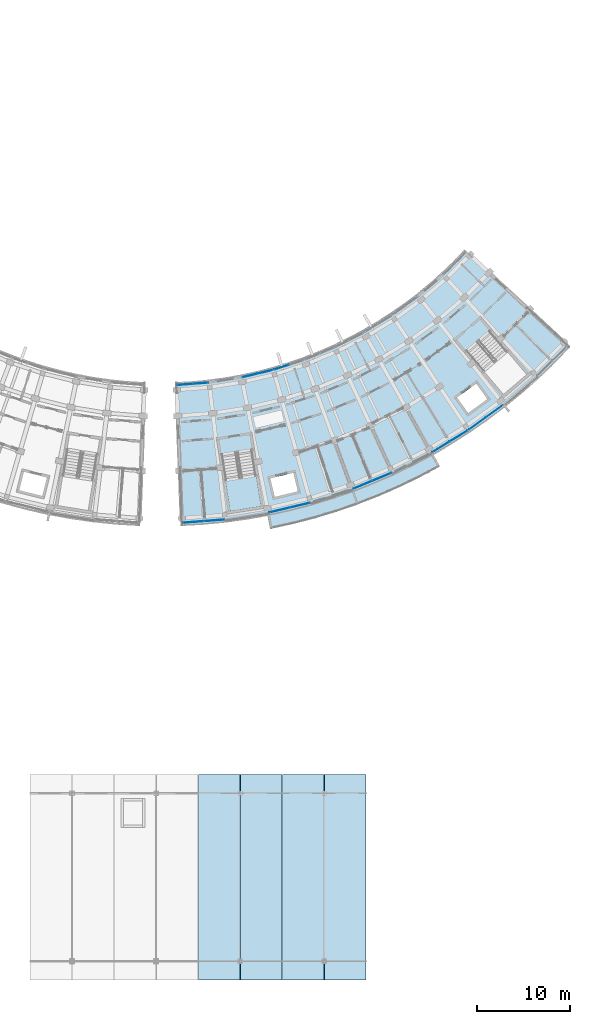
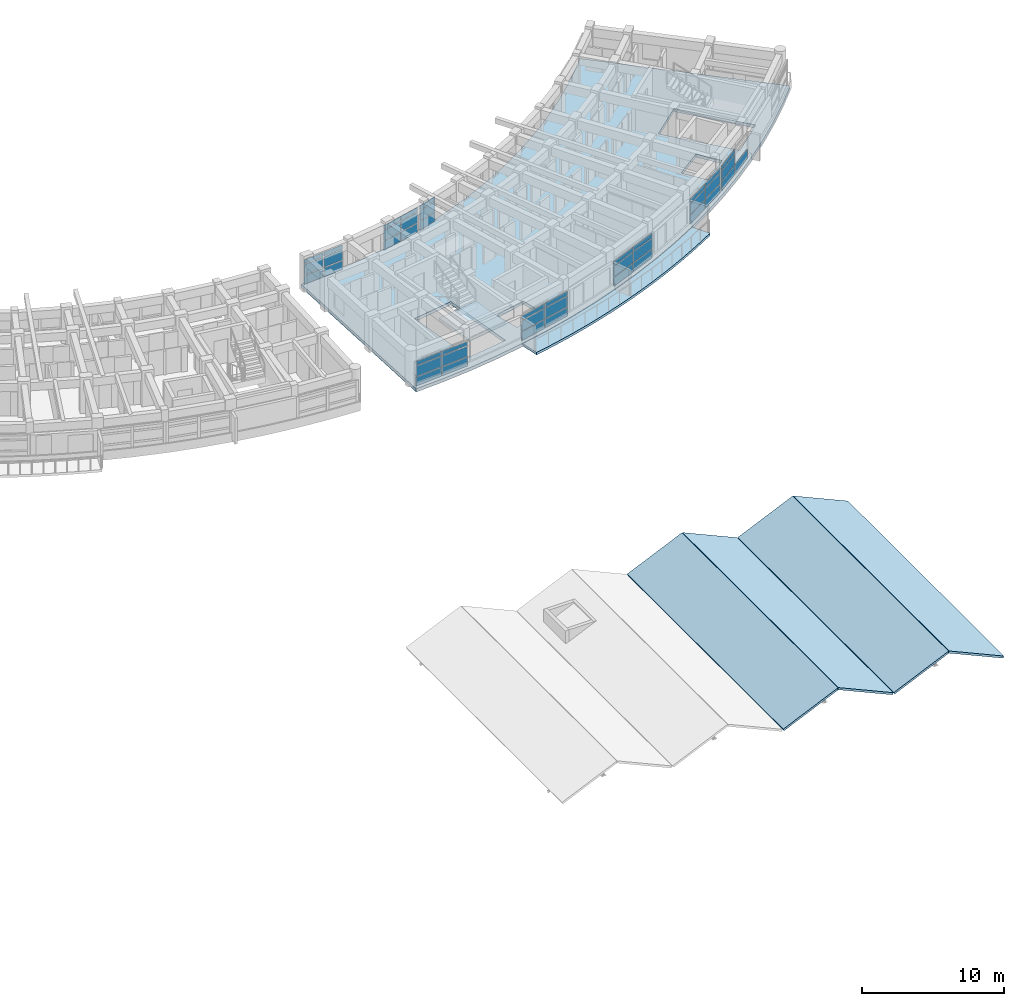
# One storey, part 37 of 70: 43 plates, 7 slabs, 9 elements without a shape of their own.
"""IFC4 building model written with IfcOpenShell, lengths in metres."""

import ifcopenshell
import ifcopenshell.guid

model = None  # the IFC model being written
_history = None  # IfcOwnerHistory: only IFC2X3 demands one
_inside = {}  # id of a spatial element -> (the spatial element, [elements in it])
_under = {}  # id of a project, library or spatial element -> (it, [spatial elements below it])
_declared = {}  # id of a project -> (the project, [libraries it declares])
_typed = {}  # id of a type object -> (the type object, [elements of that type])
_made_of = {}  # id of a material, layer set ... -> (it, [elements and type objects made of it])


def new_model(schema):
    """Start an empty IFC model of exactly this schema.

    Asked for "IFC4X3", IfcOpenShell would pick the latest addendum, in which some entities
    have other attributes; the version numbers below select the first issue.
    IFC2X3 requires an IfcOwnerHistory on every rooted entity: one is made here for all.
    """
    global model, _history
    if schema == "IFC4X3":
        model = ifcopenshell.file(schema_version=(4, 3, 0, 0))
    else:
        model = ifcopenshell.file(schema=schema)
    _inside.clear()
    _under.clear()
    _declared.clear()
    _typed.clear()
    _made_of.clear()
    _history = None
    if model.schema == "IFC2X3":
        org = make("IfcOrganization", Name="unknown")
        user = make(
            "IfcPersonAndOrganization",
            ThePerson=make("IfcPerson", FamilyName="unknown"),
            TheOrganization=org,
        )
        app = make(
            "IfcApplication",
            ApplicationDeveloper=org,
            Version="unknown",
            ApplicationFullName="unknown",
            ApplicationIdentifier="unknown",
        )
        _history = make(
            "IfcOwnerHistory",
            OwningUser=user,
            OwningApplication=app,
            ChangeAction="ADDED",
            CreationDate=0,
        )
    return model


def make(cls, **values):
    """One entity of the class cls with the attributes given. An attribute that is None is left unset."""
    return model.create_entity(
        cls, **{name: value for name, value in values.items() if value is not None}
    )


def rooted(cls, **values):
    """An entity with a GlobalId (a new one), such as an element, a storey or a relation."""
    return make(cls, GlobalId=ifcopenshell.guid.new(), OwnerHistory=_history, **values)


def si_unit(unit_type, name, prefix=None):
    """IfcSIUnit, for example si_unit("LENGTHUNIT", "METRE", prefix="MILLI")."""
    return make("IfcSIUnit", UnitType=unit_type, Prefix=prefix, Name=name)


def assignment(units):
    """IfcUnitAssignment: the units of a project."""
    return None if units is None else make("IfcUnitAssignment", Units=units)


def point(xyz):
    """IfcCartesianPoint."""
    return None if xyz is None else make("IfcCartesianPoint", Coordinates=xyz)


def direction(xyz):
    """IfcDirection."""
    return None if xyz is None else make("IfcDirection", DirectionRatios=xyz)


def frame(location, z_axis=None, x_axis=None):
    """IfcAxis2Placement3D, a coordinate frame: its origin and axes. An axis left out is left unset."""
    return make(
        "IfcAxis2Placement3D",
        Location=point(location),
        Axis=direction(z_axis),
        RefDirection=direction(x_axis),
    )


def frame_2d(location, x_axis=None):
    """IfcAxis2Placement2D, a coordinate frame in the plane: its origin and x axis."""
    return make(
        "IfcAxis2Placement2D", Location=point(location), RefDirection=direction(x_axis)
    )


def origin():
    """The frame at (0, 0, 0) with its axes left unset."""
    return frame((0.0, 0.0, 0.0))


def origin_2d():
    """The frame at (0, 0) in the plane with its x axis left unset."""
    return frame_2d((0.0, 0.0))


def place(relative_to, where):
    """IfcLocalPlacement: puts the frame where relative to a parent placement (None: the world)."""
    return make(
        "IfcLocalPlacement", PlacementRelTo=relative_to, RelativePlacement=where
    )


def context(
    kind, dimensions, precision=None, world=None, true_north=None, identifier=None
):
    """IfcGeometricRepresentationContext, for example the 3D "Model" context."""
    return make(
        "IfcGeometricRepresentationContext",
        ContextIdentifier=identifier,
        ContextType=kind,
        CoordinateSpaceDimension=dimensions,
        Precision=precision,
        WorldCoordinateSystem=world,
        TrueNorth=true_north,
    )


def subcontext(parent, identifier, kind, view, scale=None):
    """IfcGeometricRepresentationSubContext, for example "Body" below "Model"."""
    return make(
        "IfcGeometricRepresentationSubContext",
        ContextIdentifier=identifier,
        ContextType=kind,
        ParentContext=parent,
        TargetScale=scale,
        TargetView=view,
    )


def project(units=None, contexts=None):
    """IfcProject with its units and contexts."""
    return rooted(
        "IfcProject",
        Name="project",
        RepresentationContexts=contexts,
        UnitsInContext=assignment(units),
    )


def spatial(cls, under=None, at=None, **own):
    """A site, building, storey or space (cls), placed at a placement, below another one or the project."""
    s = rooted(cls, ObjectPlacement=at, **own)
    if under is not None:
        _under.setdefault(under.id(), (under, []))[1].append(s)
    return s


def polyline(points):
    """IfcPolyline through the points."""
    return make("IfcPolyline", Points=[point(p) for p in points])


def profile(cls, at=None, kind="AREA", **sizes):
    """A parametric profile (cls). Its sizes go by their IFC names, for example OverallWidth=200.0."""
    return make(cls, ProfileType=kind, Position=at, **sizes)


def rectangle(**sizes):
    """IfcRectangleProfileDef."""
    return profile("IfcRectangleProfileDef", **sizes)


def outline(outer, holes=None, kind="AREA"):
    """IfcArbitraryClosedProfileDef: a profile drawn as a closed curve; with holes, ...WithVoids."""
    if holes is None:
        return make("IfcArbitraryClosedProfileDef", ProfileType=kind, OuterCurve=outer)
    return make(
        "IfcArbitraryProfileDefWithVoids",
        ProfileType=kind,
        OuterCurve=outer,
        InnerCurves=holes,
    )


def extrude(swept, where, along, depth):
    """IfcExtrudedAreaSolid: the profile swept, set in the frame where, extruded along a direction by depth."""
    return make(
        "IfcExtrudedAreaSolid",
        SweptArea=swept,
        Position=where,
        ExtrudedDirection=direction(along),
        Depth=depth,
    )


def shape(context_of_items, identifier, shape_type, items):
    """IfcShapeRepresentation: the items that make up one representation, for example the "Body"."""
    return make(
        "IfcShapeRepresentation",
        ContextOfItems=context_of_items,
        RepresentationIdentifier=identifier,
        RepresentationType=shape_type,
        Items=items,
    )


def material(Name=None, Category=None):
    """IfcMaterial."""
    return make("IfcMaterial", Name=Name, Category=Category)


def layer(
    of_material, thickness, ventilated=None, Name=None, Category=None, Priority=None
):
    """IfcMaterialLayer: one layer of a wall or slab, of a material (None: an air gap)."""
    return make(
        "IfcMaterialLayer",
        Material=of_material,
        LayerThickness=thickness,
        IsVentilated=ventilated,
        Name=Name,
        Category=Category,
        Priority=Priority,
    )


def layer_set(layers, Name=None):
    """IfcMaterialLayerSet."""
    return make("IfcMaterialLayerSet", MaterialLayers=layers, LayerSetName=Name)


def made_of(thing, what):
    """Note that an element or type object is made of a material, layer set ...; save() writes the relation."""
    if what is not None:
        _made_of.setdefault(what.id(), (what, []))[1].append(thing)
    return thing


def type_object(cls, material=None, **own):
    """A type object (cls), such as IfcWallType, which elements share."""
    return made_of(rooted(cls, **own), material)


def element(
    cls,
    number,
    at=None,
    inside=None,
    cuts=None,
    type_object=None,
    material=None,
    context=None,
    identifier="Body",
    shape_type=None,
    held_by="IfcProductDefinitionShape",
    body=None,
    shapes=None,
    **own,
):
    """One element of the class cls, such as IfcWall. Its Tag is "e" and its number.

    at: its placement. inside: the storey or other place that contains it. cuts: it is an
    opening in that element (IfcRelVoidsElement). A single representation is given by context,
    identifier, shape_type and body (its items); several are given by shapes. held_by: the class
    of the entity that holds the representations. save() writes the other relations.
    """
    e = rooted(cls, Tag="e%d" % number, ObjectPlacement=at, **own)
    if body is not None:
        shapes = [shape(context, identifier, shape_type, body)]
    if shapes is not None:
        e.Representation = make(held_by, Representations=shapes)
    if inside is not None:
        _inside.setdefault(inside.id(), (inside, []))[1].append(e)
    if cuts is not None:
        rooted(
            "IfcRelVoidsElement", RelatingBuildingElement=cuts, RelatedOpeningElement=e
        )
    if type_object is not None:
        _typed.setdefault(type_object.id(), (type_object, []))[1].append(e)
    return made_of(e, material)


def aggregate(whole, parts):
    """IfcRelAggregates: a whole, such as a stair, and the parts it consists of."""
    return rooted("IfcRelAggregates", RelatingObject=whole, RelatedObjects=parts)


def save(model, path):
    """Write the relations noted so far, then the file.

    IfcRelAggregates (storeys below a building ...), IfcRelContainedInSpatialStructure (elements
    in a storey), IfcRelDefinesByType, IfcRelAssociatesMaterial and IfcRelDeclares: one each for
    every whole, place, type object, material and project.
    """
    for whole, parts in _under.values():
        aggregate(whole, parts)
    for where, things in _inside.values():
        rooted(
            "IfcRelContainedInSpatialStructure",
            RelatedElements=things,
            RelatingStructure=where,
        )
    for kind, things in _typed.values():
        rooted("IfcRelDefinesByType", RelatedObjects=things, RelatingType=kind)
    for what, things in _made_of.values():
        rooted("IfcRelAssociatesMaterial", RelatedObjects=things, RelatingMaterial=what)
    for by, libraries in _declared.values():
        rooted("IfcRelDeclares", RelatingContext=by, RelatedDefinitions=libraries)
    model.write(path)


model = new_model("IFC4")

# Units and contexts
model_context = context("Model", 3, precision=1e-05, world=origin(), true_north=direction((0.0, 1.0)))
body_context = subcontext(model_context, "Body", "Model", "MODEL_VIEW")
ifc_project = project(units=[si_unit("LENGTHUNIT", "METRE"), si_unit("AREAUNIT", "SQUARE_METRE"), si_unit("VOLUMEUNIT", "CUBIC_METRE"), si_unit("PLANEANGLEUNIT", "RADIAN"), si_unit("MASSUNIT", "GRAM", prefix="KILO")], contexts=[model_context])

# Site, building, storey
site_placement = place(None, origin())
site = spatial("IfcSite", under=ifc_project, at=site_placement, CompositionType="ELEMENT")
building_placement = place(site_placement, origin())
building = spatial("IfcBuilding", under=site, at=building_placement, Name="Zimvara Arc Housing Community", CompositionType="ELEMENT")
storey_placement = place(building_placement, frame((0.0, 0.0, 8.10009765625)))
storey = spatial("IfcBuildingStorey", under=building, at=storey_placement, Name="L02", CompositionType="ELEMENT", Elevation=8.10009765625)

# Curtain wall, plates
ifc_material_1 = material(Name="Anodised Aluminium AW-6063", Category="aluminium")
curtain_wall_type_1 = type_object("IfcCurtainWallType", Name="CW-SYS-08", PredefinedType="USERDEFINED", material=ifc_material_1)
curtain_wall_1_placement = place(storey_placement, origin())
curtain_wall_1 = element("IfcCurtainWall", 1, at=curtain_wall_1_placement, inside=storey, type_object=curtain_wall_type_1, Name="cw:blkD:L02:in:b2", ObjectType="CURTAIN WALL", PredefinedType="USERDEFINED")
ifc_material_2 = material(Name="Pale-Gold Anodised Aluminium Spandrel Panel", Category="aluminium")
ifc_layer_1 = layer(ifc_material_2, 0.035888671875)
ifc_layer_set_1 = layer_set([ifc_layer_1], Name="Pale-Gold Anodised Aluminium Spandrel Panel")
plate_type_1 = type_object("IfcPlateType", Name="CWP-GLD-36", PredefinedType="CURTAIN_PANEL", material=ifc_layer_set_1)
plate_1_placement = place(storey_placement, frame((135.543701171875, 66.30419921875, 0.06494140625), z_axis=(0.0, 0.0, 1.0), x_axis=(0.972573441526, 0.232596003485, 0.0)))
plate_1 = element("IfcPlate", 2, at=plate_1_placement, type_object=plate_type_1, Name="CW08 panel 1.1", PredefinedType="CURTAIN_PANEL", context=body_context, shape_type="SweptSolid", body=[
    extrude(rectangle(XDim=1.59423828125, YDim=0.035888671875, at=origin_2d()), origin(), (0.0, 0.0, 1.0), 0.75244140625),
])
plate_2_placement = place(storey_placement, frame((135.543701171875, 66.30419921875, 0.88232421875), z_axis=(0.0, 0.0, 1.0), x_axis=(0.972573441526, 0.232596003485, 0.0)))
plate_2 = element("IfcPlate", 3, at=plate_2_placement, type_object=plate_type_1, Name="CW08 panel 1.2", PredefinedType="CURTAIN_PANEL", context=body_context, shape_type="SweptSolid", body=[
    extrude(rectangle(XDim=1.59423828125, YDim=0.035888671875, at=origin_2d()), origin(), (0.0, 0.0, 1.0), 0.885009765625),
])
plate_3_placement = place(storey_placement, frame((135.543701171875, 66.30419921875, 1.832275390625), z_axis=(0.0, 0.0, 1.0), x_axis=(0.972573441526, 0.232596003485, 0.0)))
plate_3 = element("IfcPlate", 4, at=plate_3_placement, type_object=plate_type_1, Name="CW08 panel 1.3", PredefinedType="CURTAIN_PANEL", context=body_context, shape_type="SweptSolid", body=[
    extrude(rectangle(XDim=1.59423828125, YDim=0.035888671875, at=origin_2d()), origin(), (0.0, 0.0, 1.0), 0.3525390625),
])
plate_4_placement = place(storey_placement, frame((137.1572265625, 66.690185546875, 0.06494140625), z_axis=(0.0, 0.0, 1.0), x_axis=(0.972573441526, 0.232596003485, 0.0)))
plate_4 = element("IfcPlate", 5, at=plate_4_placement, type_object=plate_type_1, Name="CW08 panel 2.1", PredefinedType="CURTAIN_PANEL", context=body_context, shape_type="SweptSolid", body=[
    extrude(rectangle(XDim=1.59423828125, YDim=0.035888671875, at=origin_2d()), origin(), (0.0, 0.0, 1.0), 0.75244140625),
])
plate_5_placement = place(storey_placement, frame((137.1572265625, 66.690185546875, 0.88232421875), z_axis=(0.0, 0.0, 1.0), x_axis=(0.972573441526, 0.232596003485, 0.0)))
plate_5 = element("IfcPlate", 6, at=plate_5_placement, type_object=plate_type_1, Name="CW08 panel 2.2", PredefinedType="CURTAIN_PANEL", context=body_context, shape_type="SweptSolid", body=[
    extrude(rectangle(XDim=1.59423828125, YDim=0.035888671875, at=origin_2d()), origin(), (0.0, 0.0, 1.0), 0.885009765625),
])
plate_6_placement = place(storey_placement, frame((137.1572265625, 66.690185546875, 1.832275390625), z_axis=(0.0, 0.0, 1.0), x_axis=(0.972573441526, 0.232596003485, 0.0)))
plate_6 = element("IfcPlate", 7, at=plate_6_placement, type_object=plate_type_1, Name="CW08 panel 2.3", PredefinedType="CURTAIN_PANEL", context=body_context, shape_type="SweptSolid", body=[
    extrude(rectangle(XDim=1.59423828125, YDim=0.035888671875, at=origin_2d()), origin(), (0.0, 0.0, 1.0), 0.3525390625),
])
aggregate(curtain_wall_1, [plate_1, plate_2, plate_3, plate_4, plate_5, plate_6])

ifc_material_3 = material(Name="Anodised Aluminium AW-6063", Category="aluminium")
curtain_wall_type_2 = type_object("IfcCurtainWallType", Name="CW-SYS-05", PredefinedType="USERDEFINED", material=ifc_material_3)
curtain_wall_2_placement = place(storey_placement, origin())
curtain_wall_2 = element("IfcCurtainWall", 8, at=curtain_wall_2_placement, inside=storey, type_object=curtain_wall_type_2, Name="cw:blkD:L02:out:b0", ObjectType="CURTAIN WALL", PredefinedType="USERDEFINED")
ifc_material_4 = material(Name="Solar Control Low-E Double Glazing", Category="glass")
ifc_layer_2 = layer(ifc_material_4, 0.02392578125)
ifc_layer_set_2 = layer_set([ifc_layer_2], Name="Solar Control Low-E Double Glazing")
plate_type_2 = type_object("IfcPlateType", Name="CWP-GLZ-24", PredefinedType="CURTAIN_PANEL", material=ifc_layer_set_2)
plate_7_placement = place(storey_placement, frame((129.4677734375, 50.61767578125, 0.06494140625), z_axis=(0.0, 0.0, 1.0), x_axis=(0.996985387849, 0.077589538059, 0.0)))
plate_7 = element("IfcPlate", 9, at=plate_7_placement, type_object=plate_type_2, Name="CW05 panel 1.1", PredefinedType="CURTAIN_PANEL", context=body_context, shape_type="SweptSolid", body=[
    extrude(rectangle(XDim=2.173828125, YDim=0.02392578125, at=origin_2d()), origin(), (0.0, 0.0, 1.0), 0.75244140625),
])
plate_8_placement = place(storey_placement, frame((129.4677734375, 50.61767578125, 0.88232421875), z_axis=(0.0, 0.0, 1.0), x_axis=(0.996985387849, 0.077589538059, 0.0)))
plate_8 = element("IfcPlate", 10, at=plate_8_placement, type_object=plate_type_2, Name="CW05 panel 1.2", PredefinedType="CURTAIN_PANEL", context=body_context, shape_type="SweptSolid", body=[
    extrude(rectangle(XDim=2.173828125, YDim=0.02392578125, at=origin_2d()), origin(), (0.0, 0.0, 1.0), 0.885009765625),
])
plate_9_placement = place(storey_placement, frame((129.4677734375, 50.61767578125, 1.832275390625), z_axis=(0.0, 0.0, 1.0), x_axis=(0.996985387849, 0.077589538059, 0.0)))
plate_9 = element("IfcPlate", 11, at=plate_9_placement, type_object=plate_type_2, Name="CW05 panel 1.3", PredefinedType="CURTAIN_PANEL", context=body_context, shape_type="SweptSolid", body=[
    extrude(rectangle(XDim=2.173828125, YDim=0.02392578125, at=origin_2d()), origin(), (0.0, 0.0, 1.0), 0.3525390625),
])
plate_10_placement = place(storey_placement, frame((131.69970703125, 50.79150390625, 0.06494140625), z_axis=(0.0, 0.0, 1.0), x_axis=(0.996985387849, 0.077589538059, 0.0)))
plate_10 = element("IfcPlate", 12, at=plate_10_placement, type_object=plate_type_2, Name="CW05 panel 2.1", PredefinedType="CURTAIN_PANEL", context=body_context, shape_type="SweptSolid", body=[
    extrude(rectangle(XDim=2.173828125, YDim=0.02392578125, at=origin_2d()), origin(), (0.0, 0.0, 1.0), 0.75244140625),
])
plate_11_placement = place(storey_placement, frame((131.69970703125, 50.79150390625, 0.88232421875), z_axis=(0.0, 0.0, 1.0), x_axis=(0.996985387849, 0.077589538059, 0.0)))
plate_11 = element("IfcPlate", 13, at=plate_11_placement, type_object=plate_type_2, Name="CW05 panel 2.2", PredefinedType="CURTAIN_PANEL", context=body_context, shape_type="SweptSolid", body=[
    extrude(rectangle(XDim=2.173828125, YDim=0.02392578125, at=origin_2d()), origin(), (0.0, 0.0, 1.0), 0.885009765625),
])
plate_12_placement = place(storey_placement, frame((131.69970703125, 50.79150390625, 1.832275390625), z_axis=(0.0, 0.0, 1.0), x_axis=(0.996985387849, 0.077589538059, 0.0)))
plate_12 = element("IfcPlate", 14, at=plate_12_placement, type_object=plate_type_2, Name="CW05 panel 2.3", PredefinedType="CURTAIN_PANEL", context=body_context, shape_type="SweptSolid", body=[
    extrude(rectangle(XDim=2.173828125, YDim=0.02392578125, at=origin_2d()), origin(), (0.0, 0.0, 1.0), 0.3525390625),
])
aggregate(curtain_wall_2, [plate_7, plate_8, plate_9, plate_10, plate_11, plate_12])

ifc_material_5 = material(Name="Anodised Aluminium AW-6063", Category="aluminium")
curtain_wall_type_3 = type_object("IfcCurtainWallType", Name="CW-SYS-01", PredefinedType="USERDEFINED", material=ifc_material_5)
curtain_wall_3_placement = place(storey_placement, origin())
curtain_wall_3 = element("IfcCurtainWall", 15, at=curtain_wall_3_placement, inside=storey, type_object=curtain_wall_type_3, Name="cw:blkD:L02:in:b3", ObjectType="CURTAIN WALL", PredefinedType="USERDEFINED")
plate_13_placement = place(storey_placement, frame((138.931396484375, 67.18896484375, 0.06494140625), z_axis=(0.0, 0.0, 1.0), x_axis=(0.951326373008, 0.308185223559, 0.0)))
plate_13 = element("IfcPlate", 16, at=plate_13_placement, type_object=plate_type_2, Name="CW01 panel 1.1", PredefinedType="CURTAIN_PANEL", context=body_context, shape_type="SweptSolid", body=[
    extrude(rectangle(XDim=1.59423828125, YDim=0.02392578125, at=origin_2d()), origin(), (0.0, 0.0, 1.0), 0.75244140625),
])
plate_14_placement = place(storey_placement, frame((138.931396484375, 67.18896484375, 0.88232421875), z_axis=(0.0, 0.0, 1.0), x_axis=(0.951326373008, 0.308185223559, 0.0)))
plate_14 = element("IfcPlate", 17, at=plate_14_placement, type_object=plate_type_2, Name="CW01 panel 1.2", PredefinedType="CURTAIN_PANEL", context=body_context, shape_type="SweptSolid", body=[
    extrude(rectangle(XDim=1.59423828125, YDim=0.02392578125, at=origin_2d()), origin(), (0.0, 0.0, 1.0), 0.885009765625),
])
plate_15_placement = place(storey_placement, frame((138.931396484375, 67.18896484375, 1.832275390625), z_axis=(0.0, 0.0, 1.0), x_axis=(0.951326373008, 0.308185223559, 0.0)))
plate_15 = element("IfcPlate", 18, at=plate_15_placement, type_object=plate_type_2, Name="CW01 panel 1.3", PredefinedType="CURTAIN_PANEL", context=body_context, shape_type="SweptSolid", body=[
    extrude(rectangle(XDim=1.59423828125, YDim=0.02392578125, at=origin_2d()), origin(), (0.0, 0.0, 1.0), 0.3525390625),
])
aggregate(curtain_wall_3, [plate_13, plate_14, plate_15])

curtain_wall_4_placement = place(storey_placement, origin())
curtain_wall_4 = element("IfcCurtainWall", 19, at=curtain_wall_4_placement, inside=storey, type_object=curtain_wall_type_2, Name="cw:blkD:L02:out:b6", ObjectType="CURTAIN WALL", PredefinedType="USERDEFINED")
plate_16_placement = place(storey_placement, frame((155.98291015625, 58.658203125, 0.06494140625), z_axis=(0.0, 0.0, 1.0), x_axis=(0.853095835272, 0.521754248513, 0.0)))
plate_16 = element("IfcPlate", 20, at=plate_16_placement, type_object=plate_type_2, Name="CW05 panel 1.1", PredefinedType="CURTAIN_PANEL", context=body_context, shape_type="SweptSolid", body=[
    extrude(rectangle(XDim=2.173828125, YDim=0.02392578125, at=origin_2d()), origin(), (0.0, 0.0, 1.0), 0.75244140625),
])
plate_17_placement = place(storey_placement, frame((155.98291015625, 58.658203125, 0.88232421875), z_axis=(0.0, 0.0, 1.0), x_axis=(0.853095835272, 0.521754248513, 0.0)))
plate_17 = element("IfcPlate", 21, at=plate_17_placement, type_object=plate_type_2, Name="CW05 panel 1.2", PredefinedType="CURTAIN_PANEL", context=body_context, shape_type="SweptSolid", body=[
    extrude(rectangle(XDim=2.173828125, YDim=0.02392578125, at=origin_2d()), origin(), (0.0, 0.0, 1.0), 0.885009765625),
])
plate_18_placement = place(storey_placement, frame((155.98291015625, 58.658203125, 1.832275390625), z_axis=(0.0, 0.0, 1.0), x_axis=(0.853095835272, 0.521754248513, 0.0)))
plate_18 = element("IfcPlate", 22, at=plate_18_placement, type_object=plate_type_2, Name="CW05 panel 1.3", PredefinedType="CURTAIN_PANEL", context=body_context, shape_type="SweptSolid", body=[
    extrude(rectangle(XDim=2.173828125, YDim=0.02392578125, at=origin_2d()), origin(), (0.0, 0.0, 1.0), 0.3525390625),
])
plate_19_placement = place(storey_placement, frame((157.892822265625, 59.826171875, 0.06494140625), z_axis=(0.0, 0.0, 1.0), x_axis=(0.853095835272, 0.521754248513, 0.0)))
plate_19 = element("IfcPlate", 23, at=plate_19_placement, type_object=plate_type_2, Name="CW05 panel 2.1", PredefinedType="CURTAIN_PANEL", context=body_context, shape_type="SweptSolid", body=[
    extrude(rectangle(XDim=2.173828125, YDim=0.02392578125, at=origin_2d()), origin(), (0.0, 0.0, 1.0), 0.75244140625),
])
plate_20_placement = place(storey_placement, frame((157.892822265625, 59.826171875, 0.88232421875), z_axis=(0.0, 0.0, 1.0), x_axis=(0.853095835272, 0.521754248513, 0.0)))
plate_20 = element("IfcPlate", 24, at=plate_20_placement, type_object=plate_type_2, Name="CW05 panel 2.2", PredefinedType="CURTAIN_PANEL", context=body_context, shape_type="SweptSolid", body=[
    extrude(rectangle(XDim=2.173828125, YDim=0.02392578125, at=origin_2d()), origin(), (0.0, 0.0, 1.0), 0.885009765625),
])
plate_21_placement = place(storey_placement, frame((157.892822265625, 59.826171875, 1.832275390625), z_axis=(0.0, 0.0, 1.0), x_axis=(0.853095835272, 0.521754248513, 0.0)))
plate_21 = element("IfcPlate", 25, at=plate_21_placement, type_object=plate_type_2, Name="CW05 panel 2.3", PredefinedType="CURTAIN_PANEL", context=body_context, shape_type="SweptSolid", body=[
    extrude(rectangle(XDim=2.173828125, YDim=0.02392578125, at=origin_2d()), origin(), (0.0, 0.0, 1.0), 0.3525390625),
])
aggregate(curtain_wall_4, [plate_16, plate_17, plate_18, plate_19, plate_20, plate_21])

ifc_material_6 = material(Name="Anodised Aluminium AW-6063", Category="aluminium")
curtain_wall_type_4 = type_object("IfcCurtainWallType", Name="CW-SYS-06", PredefinedType="USERDEFINED", material=ifc_material_6)
curtain_wall_5_placement = place(storey_placement, origin())
curtain_wall_5 = element("IfcCurtainWall", 26, at=curtain_wall_5_placement, inside=storey, type_object=curtain_wall_type_4, Name="cw:blkD:L02:in:b0", ObjectType="CURTAIN WALL", PredefinedType="USERDEFINED")
ifc_material_7 = material(Name="Solar Control Low-E Double Glazing", Category="glass")
ifc_layer_3 = layer(ifc_material_7, 0.028076171875)
ifc_layer_set_3 = layer_set([ifc_layer_3], Name="Solar Control Low-E Double Glazing")
plate_type_3 = type_object("IfcPlateType", Name="CWP-GLZ-28", PredefinedType="CURTAIN_PANEL", material=ifc_layer_set_3)
plate_22_placement = place(storey_placement, frame((128.6123046875, 65.344482421875, 0.06494140625), z_axis=(0.0, 0.0, 1.0), x_axis=(0.996985344149, 0.077590099579, 0.0)))
plate_22 = element("IfcPlate", 27, at=plate_22_placement, type_object=plate_type_3, Name="CW06 panel 1.1", PredefinedType="CURTAIN_PANEL", context=body_context, shape_type="SweptSolid", body=[
    extrude(rectangle(XDim=1.59423828125, YDim=0.028076171875, at=origin_2d()), origin(), (0.0, 0.0, 1.0), 0.75244140625),
])
plate_23_placement = place(storey_placement, frame((128.6123046875, 65.344482421875, 0.88232421875), z_axis=(0.0, 0.0, 1.0), x_axis=(0.996985344149, 0.077590099579, 0.0)))
plate_23 = element("IfcPlate", 28, at=plate_23_placement, type_object=plate_type_3, Name="CW06 panel 1.2", PredefinedType="CURTAIN_PANEL", context=body_context, shape_type="SweptSolid", body=[
    extrude(rectangle(XDim=1.59423828125, YDim=0.028076171875, at=origin_2d()), origin(), (0.0, 0.0, 1.0), 0.885009765625),
])
plate_24_placement = place(storey_placement, frame((128.6123046875, 65.344482421875, 1.832275390625), z_axis=(0.0, 0.0, 1.0), x_axis=(0.996985344149, 0.077590099579, 0.0)))
plate_24 = element("IfcPlate", 29, at=plate_24_placement, type_object=plate_type_3, Name="CW06 panel 1.3", PredefinedType="CURTAIN_PANEL", context=body_context, shape_type="SweptSolid", body=[
    extrude(rectangle(XDim=1.59423828125, YDim=0.028076171875, at=origin_2d()), origin(), (0.0, 0.0, 1.0), 0.3525390625),
])
plate_25_placement = place(storey_placement, frame((130.2666015625, 65.47314453125, 0.06494140625), z_axis=(0.0, 0.0, 1.0), x_axis=(0.996985344149, 0.077590099579, 0.0)))
plate_25 = element("IfcPlate", 30, at=plate_25_placement, type_object=plate_type_3, Name="CW06 panel 2.1", PredefinedType="CURTAIN_PANEL", context=body_context, shape_type="SweptSolid", body=[
    extrude(rectangle(XDim=1.59423828125, YDim=0.028076171875, at=origin_2d()), origin(), (0.0, 0.0, 1.0), 0.75244140625),
])
plate_26_placement = place(storey_placement, frame((130.2666015625, 65.47314453125, 0.88232421875), z_axis=(0.0, 0.0, 1.0), x_axis=(0.996985344149, 0.077590099579, 0.0)))
plate_26 = element("IfcPlate", 31, at=plate_26_placement, type_object=plate_type_3, Name="CW06 panel 2.2", PredefinedType="CURTAIN_PANEL", context=body_context, shape_type="SweptSolid", body=[
    extrude(rectangle(XDim=1.59423828125, YDim=0.028076171875, at=origin_2d()), origin(), (0.0, 0.0, 1.0), 0.885009765625),
])
plate_27_placement = place(storey_placement, frame((130.2666015625, 65.47314453125, 1.832275390625), z_axis=(0.0, 0.0, 1.0), x_axis=(0.996985344149, 0.077590099579, 0.0)))
plate_27 = element("IfcPlate", 32, at=plate_27_placement, type_object=plate_type_3, Name="CW06 panel 2.3", PredefinedType="CURTAIN_PANEL", context=body_context, shape_type="SweptSolid", body=[
    extrude(rectangle(XDim=1.59423828125, YDim=0.028076171875, at=origin_2d()), origin(), (0.0, 0.0, 1.0), 0.3525390625),
])
aggregate(curtain_wall_5, [plate_22, plate_23, plate_24, plate_25, plate_26, plate_27])

ifc_material_8 = material(Name="Anodised Aluminium AW-6063", Category="aluminium")
curtain_wall_type_5 = type_object("IfcCurtainWallType", Name="CW-SYS-02", PredefinedType="USERDEFINED", material=ifc_material_8)
curtain_wall_6_placement = place(storey_placement, origin())
curtain_wall_6 = element("IfcCurtainWall", 33, at=curtain_wall_6_placement, inside=storey, type_object=curtain_wall_type_5, Name="cw:blkD:L02:out:b4", ObjectType="CURTAIN WALL", PredefinedType="USERDEFINED")
plate_28_placement = place(storey_placement, frame((147.603759765625, 54.594970703125, 0.06494140625), z_axis=(0.0, 0.0, 1.0), x_axis=(0.924213377749, 0.38187646221, 0.0)))
plate_28 = element("IfcPlate", 34, at=plate_28_placement, type_object=plate_type_3, Name="CW02 panel 1.1", PredefinedType="CURTAIN_PANEL", context=body_context, shape_type="SweptSolid", body=[
    extrude(rectangle(XDim=2.173828125, YDim=0.028076171875, at=origin_2d()), origin(), (0.0, 0.0, 1.0), 0.75244140625),
])
plate_29_placement = place(storey_placement, frame((147.603759765625, 54.594970703125, 0.88232421875), z_axis=(0.0, 0.0, 1.0), x_axis=(0.924213377749, 0.38187646221, 0.0)))
plate_29 = element("IfcPlate", 35, at=plate_29_placement, type_object=plate_type_3, Name="CW02 panel 1.2", PredefinedType="CURTAIN_PANEL", context=body_context, shape_type="SweptSolid", body=[
    extrude(rectangle(XDim=2.173828125, YDim=0.028076171875, at=origin_2d()), origin(), (0.0, 0.0, 1.0), 0.885009765625),
])
plate_30_placement = place(storey_placement, frame((147.603759765625, 54.594970703125, 1.832275390625), z_axis=(0.0, 0.0, 1.0), x_axis=(0.924213377749, 0.38187646221, 0.0)))
plate_30 = element("IfcPlate", 36, at=plate_30_placement, type_object=plate_type_3, Name="CW02 panel 1.3", PredefinedType="CURTAIN_PANEL", context=body_context, shape_type="SweptSolid", body=[
    extrude(rectangle(XDim=2.173828125, YDim=0.028076171875, at=origin_2d()), origin(), (0.0, 0.0, 1.0), 0.3525390625),
])
plate_31_placement = place(storey_placement, frame((149.6728515625, 55.449951171875, 0.06494140625), z_axis=(0.0, 0.0, 1.0), x_axis=(0.924213377749, 0.38187646221, 0.0)))
plate_31 = element("IfcPlate", 37, at=plate_31_placement, type_object=plate_type_3, Name="CW02 panel 2.1", PredefinedType="CURTAIN_PANEL", context=body_context, shape_type="SweptSolid", body=[
    extrude(rectangle(XDim=2.173828125, YDim=0.028076171875, at=origin_2d()), origin(), (0.0, 0.0, 1.0), 0.75244140625),
])
plate_32_placement = place(storey_placement, frame((149.6728515625, 55.449951171875, 0.88232421875), z_axis=(0.0, 0.0, 1.0), x_axis=(0.924213377749, 0.38187646221, 0.0)))
plate_32 = element("IfcPlate", 38, at=plate_32_placement, type_object=plate_type_3, Name="CW02 panel 2.2", PredefinedType="CURTAIN_PANEL", context=body_context, shape_type="SweptSolid", body=[
    extrude(rectangle(XDim=2.173828125, YDim=0.028076171875, at=origin_2d()), origin(), (0.0, 0.0, 1.0), 0.885009765625),
])
plate_33_placement = place(storey_placement, frame((149.6728515625, 55.449951171875, 1.832275390625), z_axis=(0.0, 0.0, 1.0), x_axis=(0.924213377749, 0.38187646221, 0.0)))
plate_33 = element("IfcPlate", 39, at=plate_33_placement, type_object=plate_type_3, Name="CW02 panel 2.3", PredefinedType="CURTAIN_PANEL", context=body_context, shape_type="SweptSolid", body=[
    extrude(rectangle(XDim=2.173828125, YDim=0.028076171875, at=origin_2d()), origin(), (0.0, 0.0, 1.0), 0.3525390625),
])
aggregate(curtain_wall_6, [plate_28, plate_29, plate_30, plate_31, plate_32, plate_33])

ifc_material_9 = material(Name="Anodised Aluminium AW-6063", Category="aluminium")
curtain_wall_type_6 = type_object("IfcCurtainWallType", Name="CW-SYS-07", PredefinedType="USERDEFINED", material=ifc_material_9)
curtain_wall_7_placement = place(storey_placement, origin())
curtain_wall_7 = element("IfcCurtainWall", 40, at=curtain_wall_7_placement, inside=storey, type_object=curtain_wall_type_6, Name="cw:blkD:L02:out:b2", ObjectType="CURTAIN WALL", PredefinedType="USERDEFINED")
ifc_material_10 = material(Name="Acoustic Laminated Solar Glazing", Category="glass")
ifc_layer_4 = layer(ifc_material_10, 0.031982421875)
ifc_layer_set_4 = layer_set([ifc_layer_4], Name="Acoustic Laminated Solar Glazing")
plate_type_4 = type_object("IfcPlateType", Name="CWP-GLZ-32", PredefinedType="CURTAIN_PANEL", material=ifc_layer_set_4)
plate_34_placement = place(storey_placement, frame((138.6923828125, 51.892822265625, 0.06494140625), z_axis=(0.0, 0.0, 1.0), x_axis=(0.97257325149, 0.232596798101, 0.0)))
plate_34 = element("IfcPlate", 41, at=plate_34_placement, type_object=plate_type_4, Name="CW07 panel 1.1", PredefinedType="CURTAIN_PANEL", context=body_context, shape_type="SweptSolid", body=[
    extrude(rectangle(XDim=2.173828125, YDim=0.031982421875, at=origin_2d()), origin(), (0.0, 0.0, 1.0), 0.75244140625),
])
plate_35_placement = place(storey_placement, frame((138.6923828125, 51.892822265625, 0.88232421875), z_axis=(0.0, 0.0, 1.0), x_axis=(0.97257325149, 0.232596798101, 0.0)))
plate_35 = element("IfcPlate", 42, at=plate_35_placement, type_object=plate_type_4, Name="CW07 panel 1.2", PredefinedType="CURTAIN_PANEL", context=body_context, shape_type="SweptSolid", body=[
    extrude(rectangle(XDim=2.173828125, YDim=0.031982421875, at=origin_2d()), origin(), (0.0, 0.0, 1.0), 0.885009765625),
])
plate_36_placement = place(storey_placement, frame((138.6923828125, 51.892822265625, 1.832275390625), z_axis=(0.0, 0.0, 1.0), x_axis=(0.97257325149, 0.232596798101, 0.0)))
plate_36 = element("IfcPlate", 43, at=plate_36_placement, type_object=plate_type_4, Name="CW07 panel 1.3", PredefinedType="CURTAIN_PANEL", context=body_context, shape_type="SweptSolid", body=[
    extrude(rectangle(XDim=2.173828125, YDim=0.031982421875, at=origin_2d()), origin(), (0.0, 0.0, 1.0), 0.3525390625),
])
plate_37_placement = place(storey_placement, frame((140.86962890625, 52.41357421875, 0.06494140625), z_axis=(0.0, 0.0, 1.0), x_axis=(0.97257325149, 0.232596798101, 0.0)))
plate_37 = element("IfcPlate", 44, at=plate_37_placement, type_object=plate_type_4, Name="CW07 panel 2.1", PredefinedType="CURTAIN_PANEL", context=body_context, shape_type="SweptSolid", body=[
    extrude(rectangle(XDim=2.173828125, YDim=0.031982421875, at=origin_2d()), origin(), (0.0, 0.0, 1.0), 0.75244140625),
])
plate_38_placement = place(storey_placement, frame((140.86962890625, 52.41357421875, 0.88232421875), z_axis=(0.0, 0.0, 1.0), x_axis=(0.97257325149, 0.232596798101, 0.0)))
plate_38 = element("IfcPlate", 45, at=plate_38_placement, type_object=plate_type_4, Name="CW07 panel 2.2", PredefinedType="CURTAIN_PANEL", context=body_context, shape_type="SweptSolid", body=[
    extrude(rectangle(XDim=2.173828125, YDim=0.031982421875, at=origin_2d()), origin(), (0.0, 0.0, 1.0), 0.885009765625),
])
plate_39_placement = place(storey_placement, frame((140.86962890625, 52.41357421875, 1.832275390625), z_axis=(0.0, 0.0, 1.0), x_axis=(0.97257325149, 0.232596798101, 0.0)))
plate_39 = element("IfcPlate", 46, at=plate_39_placement, type_object=plate_type_4, Name="CW07 panel 2.3", PredefinedType="CURTAIN_PANEL", context=body_context, shape_type="SweptSolid", body=[
    extrude(rectangle(XDim=2.173828125, YDim=0.031982421875, at=origin_2d()), origin(), (0.0, 0.0, 1.0), 0.3525390625),
])
aggregate(curtain_wall_7, [plate_34, plate_35, plate_36, plate_37, plate_38, plate_39])

curtain_wall_8_placement = place(storey_placement, origin())
curtain_wall_8 = element("IfcCurtainWall", 47, at=curtain_wall_8_placement, inside=storey, type_object=curtain_wall_type_6, Name="cw:blkD:L02:out:b7", ObjectType="CURTAIN WALL", PredefinedType="USERDEFINED")
plate_40_placement = place(storey_placement, frame((159.90771484375, 61.169921875, 0.06494140625), z_axis=(0.0, 0.0, 1.0), x_axis=(0.809530431263, 0.587077917196, 0.0)))
plate_40 = element("IfcPlate", 48, at=plate_40_placement, type_object=plate_type_4, Name="CW07 panel 1.1", PredefinedType="CURTAIN_PANEL", context=body_context, shape_type="SweptSolid", body=[
    extrude(rectangle(XDim=2.173828125, YDim=0.031982421875, at=origin_2d()), origin(), (0.0, 0.0, 1.0), 0.75244140625),
])
plate_41_placement = place(storey_placement, frame((159.90771484375, 61.169921875, 0.88232421875), z_axis=(0.0, 0.0, 1.0), x_axis=(0.809530431263, 0.587077917196, 0.0)))
plate_41 = element("IfcPlate", 49, at=plate_41_placement, type_object=plate_type_4, Name="CW07 panel 1.2", PredefinedType="CURTAIN_PANEL", context=body_context, shape_type="SweptSolid", body=[
    extrude(rectangle(XDim=2.173828125, YDim=0.031982421875, at=origin_2d()), origin(), (0.0, 0.0, 1.0), 0.885009765625),
])
plate_42_placement = place(storey_placement, frame((159.90771484375, 61.169921875, 1.832275390625), z_axis=(0.0, 0.0, 1.0), x_axis=(0.809530431263, 0.587077917196, 0.0)))
plate_42 = element("IfcPlate", 50, at=plate_42_placement, type_object=plate_type_4, Name="CW07 panel 1.3", PredefinedType="CURTAIN_PANEL", context=body_context, shape_type="SweptSolid", body=[
    extrude(rectangle(XDim=2.173828125, YDim=0.031982421875, at=origin_2d()), origin(), (0.0, 0.0, 1.0), 0.3525390625),
])
plate_43_placement = place(storey_placement, frame((161.719970703125, 62.484375, 0.06494140625), z_axis=(0.0, 0.0, 1.0), x_axis=(0.809530431263, 0.587077917196, 0.0)))
plate_43 = element("IfcPlate", 51, at=plate_43_placement, type_object=plate_type_4, Name="CW07 panel 2.1", PredefinedType="CURTAIN_PANEL", context=body_context, shape_type="SweptSolid", body=[
    extrude(rectangle(XDim=2.173828125, YDim=0.031982421875, at=origin_2d()), origin(), (0.0, 0.0, 1.0), 0.75244140625),
])
aggregate(curtain_wall_8, [plate_40, plate_41, plate_42, plate_43])

# Slabs
ifc_material_11 = material(Name="Concrete C40/50", Category="concrete")
ifc_layer_5 = layer(ifc_material_11, 0.175048828125)
ifc_layer_set_5 = layer_set([ifc_layer_5], Name="Concrete C40/50")
slab_type_1 = type_object("IfcSlabType", Name="SLB-BTF-ROOF-175", PredefinedType="ROOF", material=ifc_layer_set_5)
slab_1_placement = place(storey_placement, frame((130.02001953125, 1.60009765625, -0.35009765625), z_axis=(-0.409176369863, 0.0, 0.912455313068), x_axis=(0.912455313068, 0.0, 0.409176369863)))
element("IfcSlab", 52, at=slab_1_placement, inside=storey, type_object=slab_type_1, Name="roof:nursery:wave:b2:w", PredefinedType="ROOF", context=body_context, shape_type="SweptSolid", body=[
    extrude(outline(polyline([(0.0, 0.0), (4.887867793222918, 0.0), (4.887867793222918, 22.000000000000004), (0.0, 22.000000000000004), (0.0, 0.0)])), origin(), (0.0, 0.0, -1.0), 0.175048828125),
])
slab_2_placement = place(storey_placement, frame((134.52001953125, 23.60009765625, 1.64990234375), z_axis=(0.409176369863, 0.0, 0.912455313068), x_axis=(0.912455313068, 0.0, -0.409176369863)))
element("IfcSlab", 53, at=slab_2_placement, inside=storey, type_object=slab_type_1, Name="roof:nursery:wave:b2:e", PredefinedType="ROOF", context=body_context, shape_type="SweptSolid", body=[
    extrude(outline(polyline([(0.0, 0.0), (4.887867793222918, 0.0), (4.887867793222918, -22.000000000000004), (0.0, -22.000000000000004), (0.0, 0.0)])), origin(), (0.0, 0.0, -1.0), 0.175048828125),
])
slab_3_placement = place(storey_placement, frame((139.02001953125, 1.60009765625, -0.35009765625), z_axis=(-0.409176369863, 0.0, 0.912455313068), x_axis=(0.912455313068, 0.0, 0.409176369863)))
element("IfcSlab", 54, at=slab_3_placement, inside=storey, type_object=slab_type_1, Name="roof:nursery:wave:b3:w", PredefinedType="ROOF", context=body_context, shape_type="SweptSolid", body=[
    extrude(outline(polyline([(0.0, 0.0), (4.887867793222918, 0.0), (4.887867793222918, 22.000000000000004), (0.0, 22.000000000000004), (0.0, 0.0)])), origin(), (0.0, 0.0, -1.0), 0.175048828125),
])
slab_4_placement = place(storey_placement, frame((143.52001953125, 23.60009765625, 1.64990234375), z_axis=(0.409176369863, 0.0, 0.912455313068), x_axis=(0.912455313068, 0.0, -0.409176369863)))
element("IfcSlab", 55, at=slab_4_placement, inside=storey, type_object=slab_type_1, Name="roof:nursery:wave:b3:e", PredefinedType="ROOF", context=body_context, shape_type="SweptSolid", body=[
    extrude(outline(polyline([(0.0, 0.0), (4.887867793222918, 0.0), (4.887867793222918, -22.000000000000004), (0.0, -22.000000000000004), (0.0, 0.0)])), origin(), (0.0, 0.0, -1.0), 0.175048828125),
])

# Stair, slab
ifc_material_12 = material(Name="Concrete C35/45", Category="concrete")
stair_type = type_object("IfcStairType", Name="STR-DL-310-310", PredefinedType="HALF_TURN_STAIR", material=ifc_material_12)
stair_placement = place(storey_placement, origin())
stair = element("IfcStair", 56, at=stair_placement, inside=storey, type_object=stair_type, Name="L02 Block D Exit Stair 1", PredefinedType="HALF_TURN_STAIR")
ifc_material_13 = material(Name="Concrete C35/45", Category="concrete")
ifc_layer_6 = layer(ifc_material_13, 0.199951171875)
ifc_layer_set_6 = layer_set([ifc_layer_6], Name="Concrete C35/45")
slab_type_2 = type_object("IfcSlabType", Name="SLB-STAIR-LND-200", PredefinedType="LANDING", material=ifc_layer_set_6)
slab_5_placement = place(storey_placement, frame((0.0, 0.0, 1.349853515625)))
slab_5 = element("IfcSlab", 57, at=slab_5_placement, type_object=slab_type_2, Name="ST-D1 landing 1", PredefinedType="LANDING", context=body_context, shape_type="SweptSolid", body=[
    extrude(outline(polyline([(132.900390625, 55.1201171875), (133.427734375, 51.771484375), (136.746826171875, 52.294189453125), (136.219482421875, 55.642822265625), (132.900390625, 55.1201171875)])), origin(), (0.0, 0.0, 1.0), 0.199951171875),
])
aggregate(stair, [slab_5])

# Slabs
ifc_material_14 = material(Name="Concrete C35/45", Category="concrete")
ifc_layer_7 = layer(ifc_material_14, 0.2099609375)
ifc_layer_set_7 = layer_set([ifc_layer_7], Name="Concrete C35/45")
slab_type_3 = type_object("IfcSlabType", Name="SLB-TER-210", PredefinedType="FLOOR", material=ifc_layer_set_7)
slab_6_placement = place(storey_placement, frame((0.0, 0.0, -0.210205078125)))
element("IfcSlab", 58, at=slab_6_placement, inside=storey, type_object=slab_type_3, Name="slab:blkD:L02:bal_out", PredefinedType="FLOOR", context=body_context, shape_type="SweptSolid", body=[
    extrude(outline(polyline([(155.071044921875, 57.8076171875), (155.070556640625, 57.807373046875), (153.005615234375, 56.7060546875), (153.004638671875, 56.705322265625), (150.89794921875, 55.685791015625), (150.89697265625, 55.685302734375), (148.751953125, 54.74951171875), (148.750732421875, 54.7490234375), (146.57080078125, 53.89794921875), (146.569580078125, 53.8974609375), (144.357666015625, 53.132568359375), (144.356689453125, 53.13232421875), (142.116455078125, 52.454833984375), (142.115234375, 52.45458984375), (139.850341796875, 51.865478515625), (139.84912109375, 51.865234375), (137.562744140625, 51.36572265625), (137.562255859375, 51.36572265625), (137.84765625, 49.923583984375), (139.022216796875, 50.168212890625), (140.191650390625, 50.435791015625), (141.355712890625, 50.726318359375), (142.513671875, 51.03955078125), (143.665283203125, 51.37548828125), (144.810302734375, 51.73388671875), (145.94775390625, 52.114990234375), (147.07763671875, 52.51806640625), (148.199462890625, 52.943359375), (149.312744140625, 53.390625), (150.4169921875, 53.859619140625), (151.51171875, 54.35009765625), (152.5966796875, 54.862060546875), (153.67138671875, 55.395263671875), (154.7353515625, 55.949462890625), (155.788330078125, 56.5244140625), (155.071044921875, 57.8076171875)])), origin(), (0.0, 0.0, 1.0), 0.210205078125),
])
ifc_material_15 = material(Name="Concrete C35/45", Category="concrete")
ifc_layer_8 = layer(ifc_material_15, 0.27197265625)
ifc_layer_set_8 = layer_set([ifc_layer_8], Name="Concrete C35/45")
slab_type_4 = type_object("IfcSlabType", Name="SLB-VAR-12", PredefinedType="FLOOR", material=ifc_layer_set_8)
slab_7_placement = place(storey_placement, frame((0.0, 0.0, -0.272216796875)))
element("IfcSlab", 59, at=slab_7_placement, inside=storey, type_object=slab_type_4, Name="slab:blkD:L02:main", PredefinedType="FLOOR", context=body_context, shape_type="SweptSolid", body=[
    extrude(outline(polyline([(128.267822265625, 50.303955078125), (130.604248046875, 50.439697265625), (132.93359375, 50.6669921875), (135.252197265625, 50.985595703125), (137.556396484375, 51.39501953125), (139.8427734375, 51.89453125), (142.10791015625, 52.483642578125), (144.347900390625, 53.160888671875), (146.559814453125, 53.92578125), (148.739990234375, 54.77685546875), (150.884765625, 55.712890625), (152.991455078125, 56.732421875), (155.056396484375, 57.833740234375), (157.07666015625, 59.015380859375), (159.048828125, 60.275634765625), (160.969970703125, 61.612060546875), (162.837158203125, 63.02294921875), (164.6474609375, 64.506103515625), (166.3984375, 66.05908203125), (168.086669921875, 67.6796875), (169.710205078125, 69.365234375), (158.5576171875, 79.69287109375), (157.34814453125, 78.43701171875), (156.09033203125, 77.229736328125), (154.7861328125, 76.07275390625), (153.437255859375, 74.968017578125), (152.04638671875, 73.9169921875), (150.614990234375, 72.921142578125), (149.14599609375, 71.982666015625), (147.640869140625, 71.102294921875), (146.1025390625, 70.28173828125), (144.533203125, 69.522216796875), (142.935302734375, 68.824951171875), (141.311279296875, 68.19091796875), (139.66357421875, 67.62109375), (137.99462890625, 67.116455078125), (136.307373046875, 66.677734375), (134.60400390625, 66.3056640625), (132.887451171875, 66.00048828125), (131.16015625, 65.76318359375), (129.425048828125, 65.59375), (127.684326171875, 65.49267578125), (128.267822265625, 50.303955078125)]), holes=[polyline([(135.751953125, 58.35302734375), (136.700927734375, 52.327392578125), (133.4609375, 51.817138671875), (132.511962890625, 57.8427734375), (135.751953125, 58.35302734375)]), polyline([(161.224365234375, 71.049072265625), (165.181884765625, 66.4072265625), (162.685791015625, 64.279052734375), (158.728271484375, 68.921142578125), (161.224365234375, 71.049072265625)]), polyline([(140.194091796875, 55.8857421875), (140.66845703125, 53.90185546875), (138.1982421875, 53.31103515625), (137.7236328125, 55.294921875), (140.194091796875, 55.8857421875)]), polyline([(159.76708984375, 65.433837890625), (160.96484375, 63.782470703125), (158.908447265625, 62.291259765625), (157.7109375, 63.942626953125), (159.76708984375, 65.433837890625)])]), origin(), (0.0, 0.0, 1.0), 0.272216796875),
])

save(model, "model.ifc")
